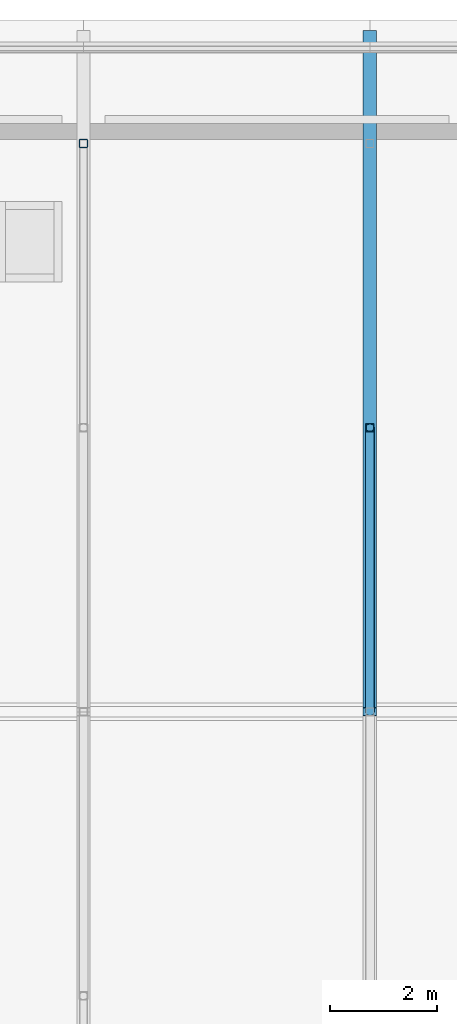
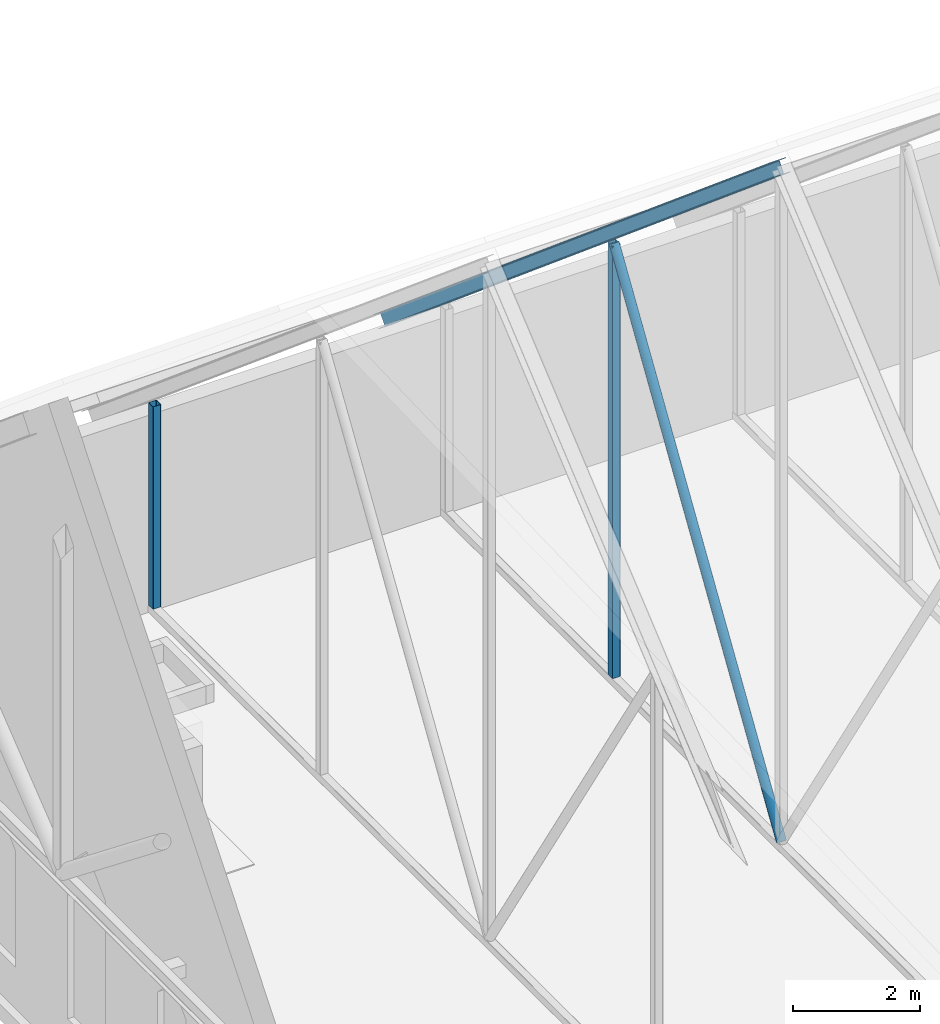
# One storey, part 18 of 29: 4 members.
"""IFC4 building model written with IfcOpenShell, lengths in metres."""

import ifcopenshell
import ifcopenshell.guid

model = None  # the IFC model being written
_history = None  # IfcOwnerHistory: only IFC2X3 demands one
_inside = {}  # id of a spatial element -> (the spatial element, [elements in it])
_under = {}  # id of a project, library or spatial element -> (it, [spatial elements below it])
_declared = {}  # id of a project -> (the project, [libraries it declares])
_typed = {}  # id of a type object -> (the type object, [elements of that type])
_made_of = {}  # id of a material, layer set ... -> (it, [elements and type objects made of it])


def new_model(schema):
    """Start an empty IFC model of exactly this schema.

    Asked for "IFC4X3", IfcOpenShell would pick the latest addendum, in which some entities
    have other attributes; the version numbers below select the first issue.
    IFC2X3 requires an IfcOwnerHistory on every rooted entity: one is made here for all.
    """
    global model, _history
    if schema == "IFC4X3":
        model = ifcopenshell.file(schema_version=(4, 3, 0, 0))
    else:
        model = ifcopenshell.file(schema=schema)
    _inside.clear()
    _under.clear()
    _declared.clear()
    _typed.clear()
    _made_of.clear()
    _history = None
    if model.schema == "IFC2X3":
        org = make("IfcOrganization", Name="unknown")
        user = make(
            "IfcPersonAndOrganization",
            ThePerson=make("IfcPerson", FamilyName="unknown"),
            TheOrganization=org,
        )
        app = make(
            "IfcApplication",
            ApplicationDeveloper=org,
            Version="unknown",
            ApplicationFullName="unknown",
            ApplicationIdentifier="unknown",
        )
        _history = make(
            "IfcOwnerHistory",
            OwningUser=user,
            OwningApplication=app,
            ChangeAction="ADDED",
            CreationDate=0,
        )
    return model


def make(cls, **values):
    """One entity of the class cls with the attributes given. An attribute that is None is left unset."""
    return model.create_entity(
        cls, **{name: value for name, value in values.items() if value is not None}
    )


def rooted(cls, **values):
    """An entity with a GlobalId (a new one), such as an element, a storey or a relation."""
    return make(cls, GlobalId=ifcopenshell.guid.new(), OwnerHistory=_history, **values)


def si_unit(unit_type, name, prefix=None):
    """IfcSIUnit, for example si_unit("LENGTHUNIT", "METRE", prefix="MILLI")."""
    return make("IfcSIUnit", UnitType=unit_type, Prefix=prefix, Name=name)


def assignment(units):
    """IfcUnitAssignment: the units of a project."""
    return None if units is None else make("IfcUnitAssignment", Units=units)


def point(xyz):
    """IfcCartesianPoint."""
    return None if xyz is None else make("IfcCartesianPoint", Coordinates=xyz)


def direction(xyz):
    """IfcDirection."""
    return None if xyz is None else make("IfcDirection", DirectionRatios=xyz)


def frame(location, z_axis=None, x_axis=None):
    """IfcAxis2Placement3D, a coordinate frame: its origin and axes. An axis left out is left unset."""
    return make(
        "IfcAxis2Placement3D",
        Location=point(location),
        Axis=direction(z_axis),
        RefDirection=direction(x_axis),
    )


def frame_2d(location, x_axis=None):
    """IfcAxis2Placement2D, a coordinate frame in the plane: its origin and x axis."""
    return make(
        "IfcAxis2Placement2D", Location=point(location), RefDirection=direction(x_axis)
    )


def origin():
    """The frame at (0, 0, 0) with its axes left unset."""
    return frame((0.0, 0.0, 0.0))


def origin_2d():
    """The frame at (0, 0) in the plane with its x axis left unset."""
    return frame_2d((0.0, 0.0))


def place(relative_to, where):
    """IfcLocalPlacement: puts the frame where relative to a parent placement (None: the world)."""
    return make(
        "IfcLocalPlacement", PlacementRelTo=relative_to, RelativePlacement=where
    )


def context(
    kind, dimensions, precision=None, world=None, true_north=None, identifier=None
):
    """IfcGeometricRepresentationContext, for example the 3D "Model" context."""
    return make(
        "IfcGeometricRepresentationContext",
        ContextIdentifier=identifier,
        ContextType=kind,
        CoordinateSpaceDimension=dimensions,
        Precision=precision,
        WorldCoordinateSystem=world,
        TrueNorth=true_north,
    )


def subcontext(parent, identifier, kind, view, scale=None):
    """IfcGeometricRepresentationSubContext, for example "Body" below "Model"."""
    return make(
        "IfcGeometricRepresentationSubContext",
        ContextIdentifier=identifier,
        ContextType=kind,
        ParentContext=parent,
        TargetScale=scale,
        TargetView=view,
    )


def project(units=None, contexts=None):
    """IfcProject with its units and contexts."""
    return rooted(
        "IfcProject",
        Name="project",
        RepresentationContexts=contexts,
        UnitsInContext=assignment(units),
    )


def spatial(cls, under=None, at=None, **own):
    """A site, building, storey or space (cls), placed at a placement, below another one or the project."""
    s = rooted(cls, ObjectPlacement=at, **own)
    if under is not None:
        _under.setdefault(under.id(), (under, []))[1].append(s)
    return s


def profile(cls, at=None, kind="AREA", **sizes):
    """A parametric profile (cls). Its sizes go by their IFC names, for example OverallWidth=200.0."""
    return make(cls, ProfileType=kind, Position=at, **sizes)


def hollow_rectangle(**sizes):
    """IfcRectangleHollowProfileDef."""
    return profile("IfcRectangleHollowProfileDef", **sizes)


def hollow_circle(**sizes):
    """IfcCircleHollowProfileDef."""
    return profile("IfcCircleHollowProfileDef", **sizes)


def i_section(**sizes):
    """IfcIShapeProfileDef."""
    return profile("IfcIShapeProfileDef", **sizes)


def extrude(swept, where, along, depth):
    """IfcExtrudedAreaSolid: the profile swept, set in the frame where, extruded along a direction by depth."""
    return make(
        "IfcExtrudedAreaSolid",
        SweptArea=swept,
        Position=where,
        ExtrudedDirection=direction(along),
        Depth=depth,
    )


def shape(context_of_items, identifier, shape_type, items):
    """IfcShapeRepresentation: the items that make up one representation, for example the "Body"."""
    return make(
        "IfcShapeRepresentation",
        ContextOfItems=context_of_items,
        RepresentationIdentifier=identifier,
        RepresentationType=shape_type,
        Items=items,
    )


def material(Name=None, Category=None):
    """IfcMaterial."""
    return make("IfcMaterial", Name=Name, Category=Category)


def material_profile(
    of_material, cross_section, Name=None, Category=None, Priority=None
):
    """IfcMaterialProfile: a cross section and its material."""
    return make(
        "IfcMaterialProfile",
        Name=Name,
        Material=of_material,
        Profile=cross_section,
        Priority=Priority,
        Category=Category,
    )


def profile_set(profiles, Name=None, composite=None):
    """IfcMaterialProfileSet."""
    return make(
        "IfcMaterialProfileSet",
        Name=Name,
        MaterialProfiles=profiles,
        CompositeProfile=composite,
    )


def made_of(thing, what):
    """Note that an element or type object is made of a material, layer set ...; save() writes the relation."""
    if what is not None:
        _made_of.setdefault(what.id(), (what, []))[1].append(thing)
    return thing


def type_object(cls, material=None, **own):
    """A type object (cls), such as IfcWallType, which elements share."""
    return made_of(rooted(cls, **own), material)


def element(
    cls,
    number,
    at=None,
    inside=None,
    cuts=None,
    type_object=None,
    material=None,
    context=None,
    identifier="Body",
    shape_type=None,
    held_by="IfcProductDefinitionShape",
    body=None,
    shapes=None,
    **own,
):
    """One element of the class cls, such as IfcWall. Its Tag is "e" and its number.

    at: its placement. inside: the storey or other place that contains it. cuts: it is an
    opening in that element (IfcRelVoidsElement). A single representation is given by context,
    identifier, shape_type and body (its items); several are given by shapes. held_by: the class
    of the entity that holds the representations. save() writes the other relations.
    """
    e = rooted(cls, Tag="e%d" % number, ObjectPlacement=at, **own)
    if body is not None:
        shapes = [shape(context, identifier, shape_type, body)]
    if shapes is not None:
        e.Representation = make(held_by, Representations=shapes)
    if inside is not None:
        _inside.setdefault(inside.id(), (inside, []))[1].append(e)
    if cuts is not None:
        rooted(
            "IfcRelVoidsElement", RelatingBuildingElement=cuts, RelatedOpeningElement=e
        )
    if type_object is not None:
        _typed.setdefault(type_object.id(), (type_object, []))[1].append(e)
    return made_of(e, material)


def aggregate(whole, parts):
    """IfcRelAggregates: a whole, such as a stair, and the parts it consists of."""
    return rooted("IfcRelAggregates", RelatingObject=whole, RelatedObjects=parts)


def save(model, path):
    """Write the relations noted so far, then the file.

    IfcRelAggregates (storeys below a building ...), IfcRelContainedInSpatialStructure (elements
    in a storey), IfcRelDefinesByType, IfcRelAssociatesMaterial and IfcRelDeclares: one each for
    every whole, place, type object, material and project.
    """
    for whole, parts in _under.values():
        aggregate(whole, parts)
    for where, things in _inside.values():
        rooted(
            "IfcRelContainedInSpatialStructure",
            RelatedElements=things,
            RelatingStructure=where,
        )
    for kind, things in _typed.values():
        rooted("IfcRelDefinesByType", RelatedObjects=things, RelatingType=kind)
    for what, things in _made_of.values():
        rooted("IfcRelAssociatesMaterial", RelatedObjects=things, RelatingMaterial=what)
    for by, libraries in _declared.values():
        rooted("IfcRelDeclares", RelatingContext=by, RelatedDefinitions=libraries)
    model.write(path)


model = new_model("IFC4")

# Units and contexts
model_context = context("Model", 3, precision=1e-05, world=origin(), true_north=direction((0.0, 1.0)))
body_context = subcontext(model_context, "Body", "Model", "MODEL_VIEW")
ifc_project = project(units=[si_unit("LENGTHUNIT", "METRE"), si_unit("AREAUNIT", "SQUARE_METRE"), si_unit("VOLUMEUNIT", "CUBIC_METRE"), si_unit("PLANEANGLEUNIT", "RADIAN"), si_unit("MASSUNIT", "GRAM", prefix="KILO")], contexts=[model_context])

# Site, building, storey
site_placement = place(None, origin())
site = spatial("IfcSite", under=ifc_project, at=site_placement, CompositionType="ELEMENT")
building_placement = place(site_placement, origin())
building = spatial("IfcBuilding", under=site, at=building_placement, Name="Silangan Lancet Faculty of Sciences", CompositionType="ELEMENT")
storey_placement = place(building_placement, frame((0.0, 0.0, 54.300048828125)))
storey = spatial("IfcBuildingStorey", under=building, at=storey_placement, Name="L11", CompositionType="ELEMENT", Elevation=54.300048828125)

# Members
ifc_material_1 = material(Name="Steel STK400", Category="steel")
ifc_material_profile_1 = material_profile(ifc_material_1, hollow_circle(Radius=0.08251953125, WallThickness=0.0048828125, at=origin_2d()), Name="CHS 165.2x5.0")
ifc_profile_set_1 = profile_set([ifc_material_profile_1], Name="Steel STK400")
member_type_1 = type_object("IfcMemberType", Name="Truss diagonal CHS 165.2x5.0", PredefinedType="BRACE", material=ifc_profile_set_1)
member_1_placement = place(storey_placement, frame((12.53125, 46.800048828125, 0.14990234375), z_axis=(0.0, 0.535278447344, 0.844675667821), x_axis=(-1.0, 0.0, 0.0)))
element("IfcMember", 1, at=member_1_placement, inside=storey, type_object=member_type_1, Name="Gable truss 2 diagonal N", PredefinedType="BRACE", context=body_context, shape_type="SweptSolid", body=[
    extrude(hollow_circle(Radius=0.08251953125, WallThickness=0.0048828125, at=origin_2d()), origin(), (0.0, 0.0, 1.0), 9.877685546875),
])
ifc_material_2 = material(Name="Steel STKR400", Category="steel")
ifc_material_profile_2 = material_profile(ifc_material_2, hollow_rectangle(XDim=0.14990234375, YDim=0.14990234375, WallThickness=0.006103515625, InnerFilletRadius=0.006103515625, OuterFilletRadius=0.011962890625, at=origin_2d()), Name="SHS 150x150x6.0")
ifc_profile_set_2 = profile_set([ifc_material_profile_2], Name="Steel STKR400")
member_type_2 = type_object("IfcMemberType", Name="Truss post SHS 150x150x6.0", PredefinedType="POST", material=ifc_profile_set_2)
member_2_placement = place(storey_placement, frame((7.199951171875, 57.375, 0.14990234375), z_axis=(0.0, 0.0, 1.0), x_axis=(1.0, 0.0, 0.0)))
element("IfcMember", 2, at=member_2_placement, inside=storey, type_object=member_type_2, Name="Gable truss 1 eave post N", PredefinedType="POST", context=body_context, shape_type="SweptSolid", body=[
    extrude(hollow_rectangle(XDim=0.14990234375, YDim=0.14990234375, WallThickness=0.006103515625, InnerFilletRadius=0.006103515625, OuterFilletRadius=0.011962890625, at=origin_2d()), origin(), (0.0, 0.0, 1.0), 3.902099609375),
])
member_3_placement = place(storey_placement, frame((12.53125, 52.08740234375, 0.14990234375), z_axis=(0.0, 0.0, 1.0), x_axis=(1.0, 0.0, 0.0)))
element("IfcMember", 3, at=member_3_placement, inside=storey, type_object=member_type_2, Name="Gable truss 2 mid post N", PredefinedType="POST", context=body_context, shape_type="SweptSolid", body=[
    extrude(hollow_rectangle(XDim=0.14990234375, YDim=0.14990234375, WallThickness=0.006103515625, InnerFilletRadius=0.006103515625, OuterFilletRadius=0.011962890625, at=origin_2d()), origin(), (0.0, 0.0, 1.0), 8.343505859375),
])
ifc_material_3 = material(Name="Steel SS400", Category="steel")
ifc_material_profile_3 = material_profile(ifc_material_3, i_section(OverallWidth=0.25, OverallDepth=0.25, WebThickness=0.009033203125, FlangeThickness=0.013916015625, FilletRadius=0.01611328125, at=origin_2d()), Name="H 250x250x9x14")
ifc_profile_set_3 = profile_set([ifc_material_profile_3], Name="Steel SS400")
member_type_3 = type_object("IfcMemberType", Name="Truss top chord H 250x250x9x14", PredefinedType="CHORD", material=ifc_profile_set_3)
member_4_placement = place(storey_placement, frame((12.53125, 59.39990234375, 2.5771484375), z_axis=(0.0, -0.765701649721, 0.643195913866), x_axis=(1.0, 0.0, 0.0)))
element("IfcMember", 4, at=member_4_placement, inside=storey, type_object=member_type_3, Name="Gable truss 2 rafter N", PredefinedType="CHORD", context=body_context, shape_type="SweptSolid", body=[
    extrude(i_section(OverallWidth=0.25, OverallDepth=0.25, WebThickness=0.009033203125, FlangeThickness=0.013916015625, FilletRadius=0.01611328125, at=origin_2d()), origin(), (0.0, 0.0, 1.0), 16.455322265625),
])

save(model, "model.ifc")
